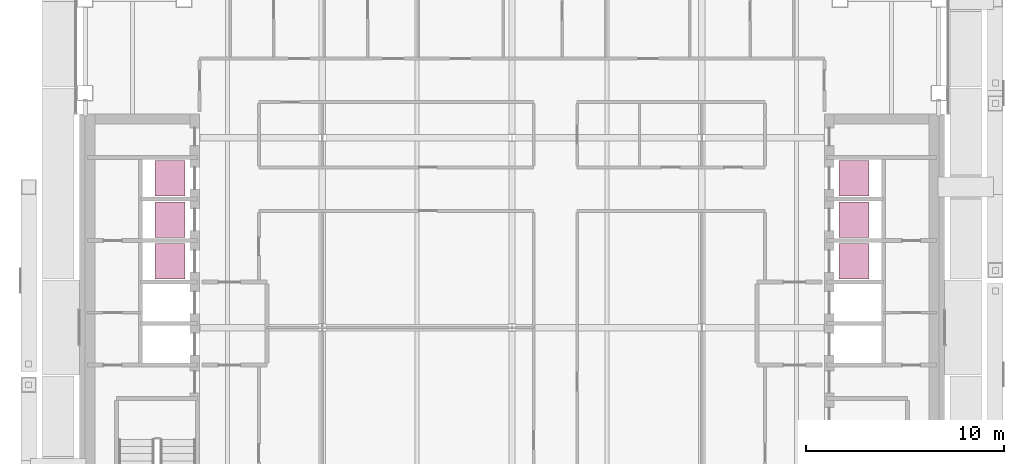
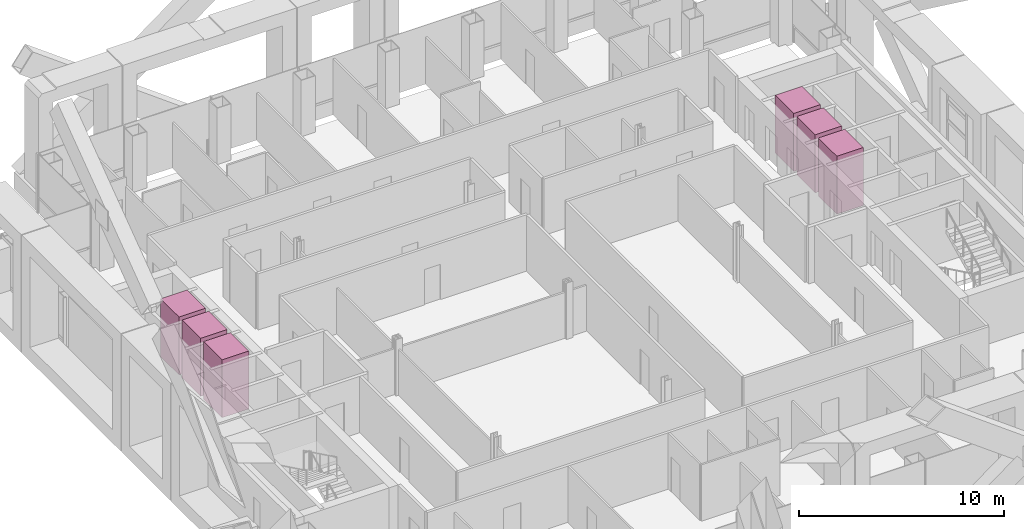
# One storey, part 22 of 22: 6 transport elements.
"""IFC4 building model written with IfcOpenShell, lengths in metres."""

from ifc_helpers import new_model, si_unit, direction, frame, origin, origin_2d, place, context, subcontext, project, spatial, rectangle, extrude, material, type_object, element, save


model = new_model("IFC4")

# Units and contexts
model_context = context("Model", 3, precision=1e-05, world=origin(), true_north=direction((0.0, 1.0)))
body_context = subcontext(model_context, "Body", "Model", "MODEL_VIEW")
ifc_project = project(units=[si_unit("LENGTHUNIT", "METRE"), si_unit("AREAUNIT", "SQUARE_METRE"), si_unit("VOLUMEUNIT", "CUBIC_METRE"), si_unit("PLANEANGLEUNIT", "RADIAN"), si_unit("MASSUNIT", "GRAM", prefix="KILO")], contexts=[model_context])

# Site, building, storey
site_placement = place(None, origin())
site = spatial("IfcSite", under=ifc_project, at=site_placement, CompositionType="ELEMENT")
building_placement = place(site_placement, origin())
building = spatial("IfcBuilding", under=site, at=building_placement, Name="Cobrizo Arcos Hotel Tower", CompositionType="ELEMENT")
storey_placement = place(building_placement, frame((0.0, 0.0, 169.0)))
storey = spatial("IfcBuildingStorey", under=building, at=storey_placement, Name="L43", CompositionType="ELEMENT", Elevation=169.0)

# Transport elements
ifc_material = material(Name="Stainless steel car", Category="steel")
transport_element_type = type_object("IfcTransportElementType", Name="Lift car High 1.8x1.5", PredefinedType="ELEVATOR", material=ifc_material)
for number, where, z_axis, x_axis, name in (
    (1, (-17.300048828125, 3.35009765625, 0.0), (0.0, 0.0, 1.0), (1.0, 0.0, 0.0), "High-rise passenger lift W1"),
    (2, (-17.300048828125, 5.449951171875, 0.0), (0.0, 0.0, 1.0), (1.0, 0.0, 0.0), "High-rise passenger lift W2"),
    (3, (-17.300048828125, 7.550048828125, 0.0), (0.0, 0.0, 1.0), (1.0, 0.0, 0.0), "High-rise passenger lift W3"),
    (4, (17.300048828125, 3.35009765625, 0.0), (0.0, 0.0, 1.0), (1.0, 0.0, 0.0), "High-rise passenger lift E1"),
    (5, (17.300048828125, 5.449951171875, 0.0), (0.0, 0.0, 1.0), (1.0, 0.0, 0.0), "High-rise passenger lift E2"),
    (6, (17.300048828125, 7.550048828125, 0.0), (0.0, 0.0, 1.0), (1.0, 0.0, 0.0), "High-rise passenger lift E3"),
):
    element("IfcTransportElement", number, at=place(storey_placement, frame(where, z_axis=z_axis, x_axis=x_axis)), inside=storey, type_object=transport_element_type, Name=name, PredefinedType="ELEVATOR", context=body_context, shape_type="SweptSolid", body=[
        extrude(rectangle(XDim=1.5, YDim=1.800048828125, at=origin_2d()), origin(), (0.0, 0.0, 1.0), 3.449951171875),
    ])

save(model, "model.ifc")
